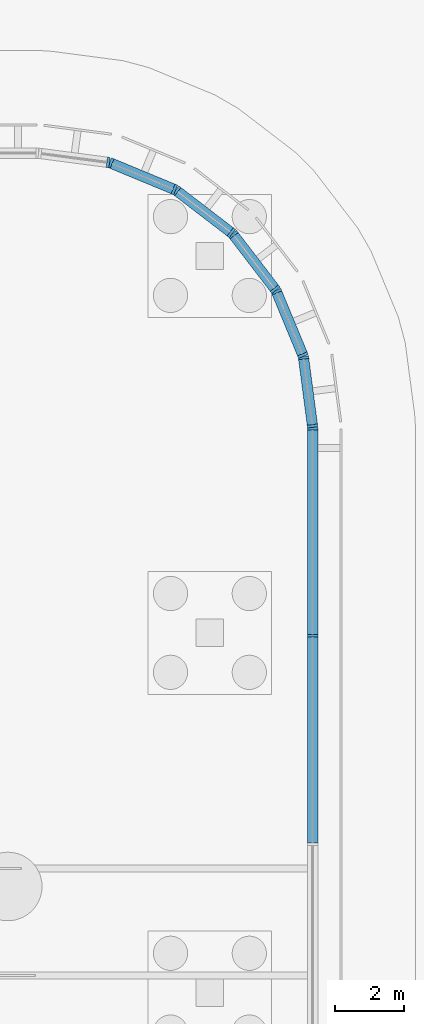
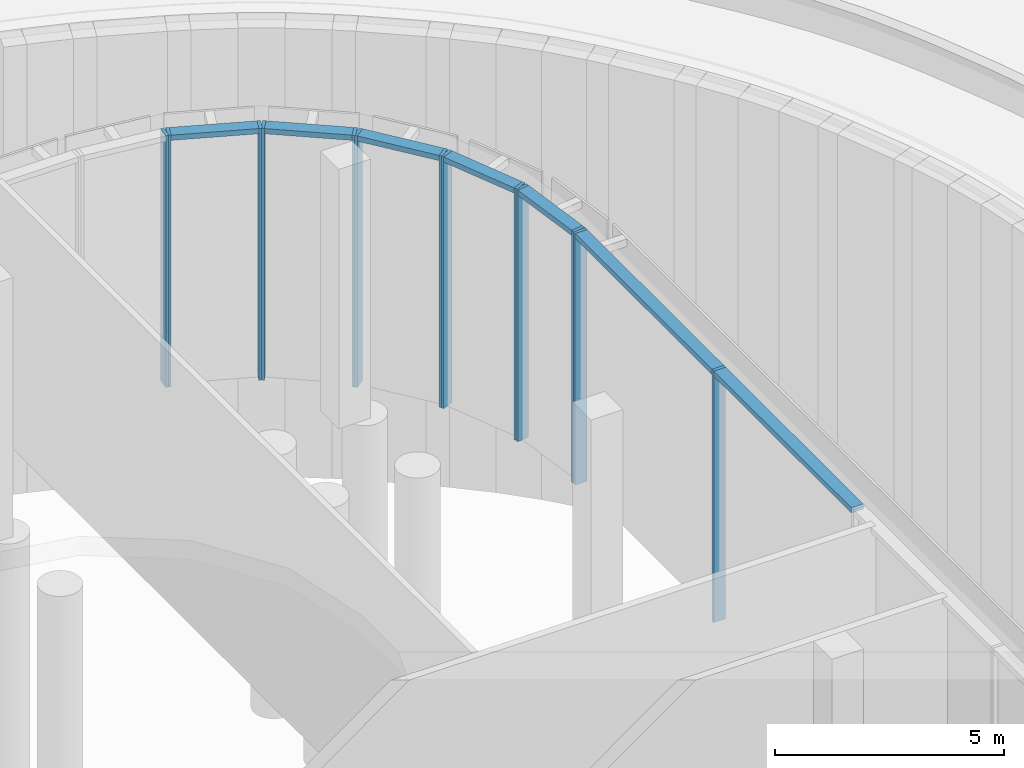
# One storey, part 13 of 48: 20 members, 7 elements without a shape of their own.
"""IFC4 building model written with IfcOpenShell, lengths in metres."""

from ifc_helpers import new_model, si_unit, direction, frame, origin, origin_2d, place, context, subcontext, project, spatial, rectangle, extrude, material, material_profile, profile_set, type_object, element, aggregate, save


model = new_model("IFC4")

# Units and contexts
model_context = context("Model", 3, precision=1e-05, world=origin(), true_north=direction((0.0, 1.0)))
body_context = subcontext(model_context, "Body", "Model", "MODEL_VIEW")
ifc_project = project(units=[si_unit("LENGTHUNIT", "METRE"), si_unit("AREAUNIT", "SQUARE_METRE"), si_unit("VOLUMEUNIT", "CUBIC_METRE"), si_unit("PLANEANGLEUNIT", "RADIAN"), si_unit("MASSUNIT", "GRAM", prefix="KILO")], contexts=[model_context])

# Site, building, storey
site_placement = place(None, origin())
site = spatial("IfcSite", under=ifc_project, at=site_placement, CompositionType="ELEMENT")
building_placement = place(site_placement, origin())
building = spatial("IfcBuilding", under=site, at=building_placement, Name="Mahtab Terrace Research Tower", CompositionType="ELEMENT")
storey_placement = place(building_placement, origin())
storey = spatial("IfcBuildingStorey", under=building, at=storey_placement, Name="G", CompositionType="ELEMENT", Elevation=0.0)

# Curtain wall, members
ifc_material_1 = material(Name="Ground lobby curtain wall")
curtain_wall_type = type_object("IfcCurtainWallType", Name="Ground lobby curtain wall", PredefinedType="NOTDEFINED", material=ifc_material_1)
curtain_wall_1_placement = place(storey_placement, origin())
curtain_wall_1 = element("IfcCurtainWall", 1, at=curtain_wall_1_placement, inside=storey, type_object=curtain_wall_type, Name="EN.G.0.0", PredefinedType="NOTDEFINED")
ifc_material_2 = material(Name="Natural anodised aluminium", Category="aluminium")
ifc_material_profile_1 = material_profile(ifc_material_2, rectangle(XDim=0.300048828125, YDim=0.080078125, at=origin_2d()), Name="MULLION 80x300")
ifc_profile_set_1 = profile_set([ifc_material_profile_1], Name="Natural anodised aluminium")
member_type_1 = type_object("IfcMemberType", Name="Ground lobby curtain wall mullion", PredefinedType="MULLION", material=ifc_profile_set_1)
member_1_placement = place(storey_placement, frame((59.711669921875, 30.10791015625, 0.0), z_axis=(0.0, 0.0, 1.0), x_axis=(-0.923882573998, -0.382676089485, 0.0)))
member_1 = element("IfcMember", 2, at=member_1_placement, type_object=member_type_1, Name="CWG-1 mullion 1", PredefinedType="MULLION", context=body_context, shape_type="SweptSolid", body=[
    extrude(rectangle(XDim=0.300048828125, YDim=0.080078125, at=origin_2d()), origin(), (0.0, 0.0, 1.0), 6.699951171875),
])
member_2_placement = place(storey_placement, frame((58.943359375, 31.963134765625, 0.0), z_axis=(0.0, 0.0, 1.0), x_axis=(-0.923882573998, -0.382676089485, 0.0)))
member_2 = element("IfcMember", 3, at=member_2_placement, type_object=member_type_1, Name="CWG-1 mullion 2", PredefinedType="MULLION", context=body_context, shape_type="SweptSolid", body=[
    extrude(rectangle(XDim=0.300048828125, YDim=0.080078125, at=origin_2d()), origin(), (0.0, 0.0, 1.0), 6.699951171875),
])

curtain_wall_2_placement = place(storey_placement, origin())
curtain_wall_2 = element("IfcCurtainWall", 4, at=curtain_wall_2_placement, inside=storey, type_object=curtain_wall_type, Name="EN.G.1.0", PredefinedType="NOTDEFINED")
member_3_placement = place(storey_placement, frame((58.903564453125, 32.03173828125, 0.0), z_axis=(0.0, 0.0, 1.0), x_axis=(-0.793459901021, -0.60862253119, 0.0)))
member_3 = element("IfcMember", 5, at=member_3_placement, type_object=member_type_1, Name="CWG-1 mullion 1", PredefinedType="MULLION", context=body_context, shape_type="SweptSolid", body=[
    extrude(rectangle(XDim=0.300048828125, YDim=0.080078125, at=origin_2d()), origin(), (0.0, 0.0, 1.0), 6.699951171875),
])
member_4_placement = place(storey_placement, frame((57.681396484375, 33.625244140625, 0.0), z_axis=(0.0, 0.0, 1.0), x_axis=(-0.793459901021, -0.60862253119, 0.0)))
member_4 = element("IfcMember", 6, at=member_4_placement, type_object=member_type_1, Name="CWG-1 mullion 2", PredefinedType="MULLION", context=body_context, shape_type="SweptSolid", body=[
    extrude(rectangle(XDim=0.300048828125, YDim=0.080078125, at=origin_2d()), origin(), (0.0, 0.0, 1.0), 6.699951171875),
])

curtain_wall_3_placement = place(storey_placement, origin())
curtain_wall_3 = element("IfcCurtainWall", 7, at=curtain_wall_3_placement, inside=storey, type_object=curtain_wall_type, Name="EN.G.2.0", PredefinedType="NOTDEFINED")
member_5_placement = place(storey_placement, frame((57.625244140625, 33.681396484375, 0.0), z_axis=(0.0, 0.0, 1.0), x_axis=(-0.60862253119, -0.793459901021, 0.0)))
member_5 = element("IfcMember", 8, at=member_5_placement, type_object=member_type_1, Name="CWG-1 mullion 1", PredefinedType="MULLION", context=body_context, shape_type="SweptSolid", body=[
    extrude(rectangle(XDim=0.300048828125, YDim=0.080078125, at=origin_2d()), origin(), (0.0, 0.0, 1.0), 6.699951171875),
])
member_6_placement = place(storey_placement, frame((56.03173828125, 34.903564453125, 0.0), z_axis=(0.0, 0.0, 1.0), x_axis=(-0.60862253119, -0.793459901021, 0.0)))
member_6 = element("IfcMember", 9, at=member_6_placement, type_object=member_type_1, Name="CWG-1 mullion 2", PredefinedType="MULLION", context=body_context, shape_type="SweptSolid", body=[
    extrude(rectangle(XDim=0.300048828125, YDim=0.080078125, at=origin_2d()), origin(), (0.0, 0.0, 1.0), 6.699951171875),
])

curtain_wall_4_placement = place(storey_placement, origin())
curtain_wall_4 = element("IfcCurtainWall", 10, at=curtain_wall_4_placement, inside=storey, type_object=curtain_wall_type, Name="EN.G.3.0", PredefinedType="NOTDEFINED")
member_7_placement = place(storey_placement, frame((55.963134765625, 34.943359375, 0.0), z_axis=(0.0, 0.0, 1.0), x_axis=(-0.382676089485, -0.923882573998, 0.0)))
member_7 = element("IfcMember", 11, at=member_7_placement, type_object=member_type_1, Name="CWG-1 mullion 1", PredefinedType="MULLION", context=body_context, shape_type="SweptSolid", body=[
    extrude(rectangle(XDim=0.300048828125, YDim=0.080078125, at=origin_2d()), origin(), (0.0, 0.0, 1.0), 6.699951171875),
])
member_8_placement = place(storey_placement, frame((54.10791015625, 35.711669921875, 0.0), z_axis=(0.0, 0.0, 1.0), x_axis=(-0.382676089485, -0.923882573998, 0.0)))
member_8 = element("IfcMember", 12, at=member_8_placement, type_object=member_type_1, Name="CWG-1 mullion 2", PredefinedType="MULLION", context=body_context, shape_type="SweptSolid", body=[
    extrude(rectangle(XDim=0.300048828125, YDim=0.080078125, at=origin_2d()), origin(), (0.0, 0.0, 1.0), 6.699951171875),
])

# Curtain wall, member
curtain_wall_5_placement = place(storey_placement, origin())
curtain_wall_5 = element("IfcCurtainWall", 13, at=curtain_wall_5_placement, inside=storey, type_object=curtain_wall_type, Name="EN.G.4.0", PredefinedType="NOTDEFINED")
member_9_placement = place(storey_placement, frame((54.03125, 35.732177734375, 0.0), z_axis=(0.0, 0.0, 1.0), x_axis=(-0.130689793992, -0.991423309059, 0.0)))
member_9 = element("IfcMember", 14, at=member_9_placement, type_object=member_type_1, Name="CWG-1 mullion 1", PredefinedType="MULLION", context=body_context, shape_type="SweptSolid", body=[
    extrude(rectangle(XDim=0.300048828125, YDim=0.080078125, at=origin_2d()), origin(), (0.0, 0.0, 1.0), 6.699951171875),
])
aggregate(curtain_wall_5, [member_9])

# Curtain wall, members
curtain_wall_6_placement = place(storey_placement, origin())
curtain_wall_6 = element("IfcCurtainWall", 15, at=curtain_wall_6_placement, inside=storey, type_object=curtain_wall_type, Name="EN.G.26.2", PredefinedType="NOTDEFINED")
member_10_placement = place(storey_placement, frame((60.0, 21.916748046875, 0.0), z_axis=(0.0, 0.0, 1.0), x_axis=(-1.0, 0.0, 0.0)))
member_10 = element("IfcMember", 16, at=member_10_placement, type_object=member_type_1, Name="CWG-1 mullion 6", PredefinedType="MULLION", context=body_context, shape_type="SweptSolid", body=[
    extrude(rectangle(XDim=0.300048828125, YDim=0.080078125, at=origin_2d()), origin(), (0.0, 0.0, 1.0), 6.699951171875),
])
member_11_placement = place(storey_placement, frame((60.0, 27.9599609375, 0.0), z_axis=(0.0, 0.0, 1.0), x_axis=(-1.0, 0.0, 0.0)))
member_11 = element("IfcMember", 17, at=member_11_placement, type_object=member_type_1, Name="CWG-1 mullion 7", PredefinedType="MULLION", context=body_context, shape_type="SweptSolid", body=[
    extrude(rectangle(XDim=0.300048828125, YDim=0.080078125, at=origin_2d()), origin(), (0.0, 0.0, 1.0), 6.699951171875),
])

curtain_wall_7_placement = place(storey_placement, origin())
curtain_wall_7 = element("IfcCurtainWall", 18, at=curtain_wall_7_placement, inside=storey, type_object=curtain_wall_type, Name="EN.G.27.0", PredefinedType="NOTDEFINED")
member_12_placement = place(storey_placement, frame((59.994873046875, 28.03955078125, 0.0), z_axis=(0.0, 0.0, 1.0), x_axis=(-0.991423309059, -0.130689793992, 0.0)))
member_12 = element("IfcMember", 19, at=member_12_placement, type_object=member_type_1, Name="CWG-1 mullion 1", PredefinedType="MULLION", context=body_context, shape_type="SweptSolid", body=[
    extrude(rectangle(XDim=0.300048828125, YDim=0.080078125, at=origin_2d()), origin(), (0.0, 0.0, 1.0), 6.699951171875),
])
member_13_placement = place(storey_placement, frame((59.732177734375, 30.03125, 0.0), z_axis=(0.0, 0.0, 1.0), x_axis=(-0.991423309059, -0.130689793992, 0.0)))
member_13 = element("IfcMember", 20, at=member_13_placement, type_object=member_type_1, Name="CWG-1 mullion 2", PredefinedType="MULLION", context=body_context, shape_type="SweptSolid", body=[
    extrude(rectangle(XDim=0.300048828125, YDim=0.080078125, at=origin_2d()), origin(), (0.0, 0.0, 1.0), 6.699951171875),
])

# Member
ifc_material_profile_2 = material_profile(ifc_material_2, rectangle(XDim=0.300048828125, YDim=0.139892578125, at=origin_2d()), Name="TRANSOM 140x300")
ifc_profile_set_2 = profile_set([ifc_material_profile_2], Name="Natural anodised aluminium")
member_type_2 = type_object("IfcMemberType", Name="Ground lobby curtain wall transom", PredefinedType="USERDEFINED", material=ifc_profile_set_2)
member_14_placement = place(storey_placement, frame((59.6962890625, 30.14501953125, 6.6298828125), z_axis=(-0.38271716517, 0.923865559204, 0.0), x_axis=(-0.923865559204, -0.38271716517, 0.0)))
member_14 = element("IfcMember", 21, at=member_14_placement, type_object=member_type_2, Name="CWG-1 transom 1", ObjectType="TRANSOM", PredefinedType="USERDEFINED", context=body_context, shape_type="SweptSolid", body=[
    extrude(rectangle(XDim=0.300048828125, YDim=0.139892578125, at=origin_2d()), origin(), (0.0, 0.0, 1.0), 1.927734375),
])

aggregate(curtain_wall_1, [member_1, member_2, member_14])

member_15_placement = place(storey_placement, frame((58.87939453125, 32.0634765625, 6.6298828125), z_axis=(-0.608614930478, 0.793465731081, 0.0), x_axis=(-0.793465731081, -0.608614930478, 0.0)))
member_15 = element("IfcMember", 22, at=member_15_placement, type_object=member_type_2, Name="CWG-1 transom 1", ObjectType="TRANSOM", PredefinedType="USERDEFINED", context=body_context, shape_type="SweptSolid", body=[
    extrude(rectangle(XDim=0.300048828125, YDim=0.139892578125, at=origin_2d()), origin(), (0.0, 0.0, 1.0), 1.92822265625),
])

aggregate(curtain_wall_2, [member_3, member_4, member_15])

member_16_placement = place(storey_placement, frame((57.593505859375, 33.705810546875, 6.6298828125), z_axis=(-0.793465731081, 0.608614930478, 0.0), x_axis=(-0.608614930478, -0.793465731081, 0.0)))
member_16 = element("IfcMember", 23, at=member_16_placement, type_object=member_type_2, Name="CWG-1 transom 1", ObjectType="TRANSOM", PredefinedType="USERDEFINED", context=body_context, shape_type="SweptSolid", body=[
    extrude(rectangle(XDim=0.300048828125, YDim=0.139892578125, at=origin_2d()), origin(), (0.0, 0.0, 1.0), 1.92822265625),
])

aggregate(curtain_wall_3, [member_5, member_6, member_16])

member_17_placement = place(storey_placement, frame((55.926025390625, 34.95849609375, 6.6298828125), z_axis=(-0.923865559204, 0.38271716517, 0.0), x_axis=(-0.38271716517, -0.923865559204, 0.0)))
member_17 = element("IfcMember", 24, at=member_17_placement, type_object=member_type_2, Name="CWG-1 transom 1", ObjectType="TRANSOM", PredefinedType="USERDEFINED", context=body_context, shape_type="SweptSolid", body=[
    extrude(rectangle(XDim=0.300048828125, YDim=0.139892578125, at=origin_2d()), origin(), (0.0, 0.0, 1.0), 1.927734375),
])

aggregate(curtain_wall_4, [member_7, member_8, member_17])

member_18_placement = place(storey_placement, frame((60.0, 15.873291015625, 6.6298828125), z_axis=(0.0, 1.0, 0.0), x_axis=(-1.0, 0.0, 0.0)))
member_18 = element("IfcMember", 25, at=member_18_placement, type_object=member_type_2, Name="CWG-1 transom 5", ObjectType="TRANSOM", PredefinedType="USERDEFINED", context=body_context, shape_type="SweptSolid", body=[
    extrude(rectangle(XDim=0.300048828125, YDim=0.139892578125, at=origin_2d()), origin(), (0.0, 0.0, 1.0), 6.00341796875),
])

member_19_placement = place(storey_placement, frame((60.0, 21.956787109375, 6.6298828125), z_axis=(0.0, 1.0, 0.0), x_axis=(-1.0, 0.0, 0.0)))
member_19 = element("IfcMember", 26, at=member_19_placement, type_object=member_type_2, Name="CWG-1 transom 6", ObjectType="TRANSOM", PredefinedType="USERDEFINED", context=body_context, shape_type="SweptSolid", body=[
    extrude(rectangle(XDim=0.300048828125, YDim=0.139892578125, at=origin_2d()), origin(), (0.0, 0.0, 1.0), 5.963134765625),
])

aggregate(curtain_wall_6, [member_10, member_11, member_18, member_19])

member_20_placement = place(storey_placement, frame((59.989501953125, 28.079345703125, 6.6298828125), z_axis=(-0.130621491668, 0.991432310304, 0.0), x_axis=(-0.991432310304, -0.130621491668, 0.0)))
member_20 = element("IfcMember", 27, at=member_20_placement, type_object=member_type_2, Name="CWG-1 transom 1", ObjectType="TRANSOM", PredefinedType="USERDEFINED", context=body_context, shape_type="SweptSolid", body=[
    extrude(rectangle(XDim=0.300048828125, YDim=0.139892578125, at=origin_2d()), origin(), (0.0, 0.0, 1.0), 1.928955078125),
])

aggregate(curtain_wall_7, [member_12, member_13, member_20])

save(model, "model.ifc")
